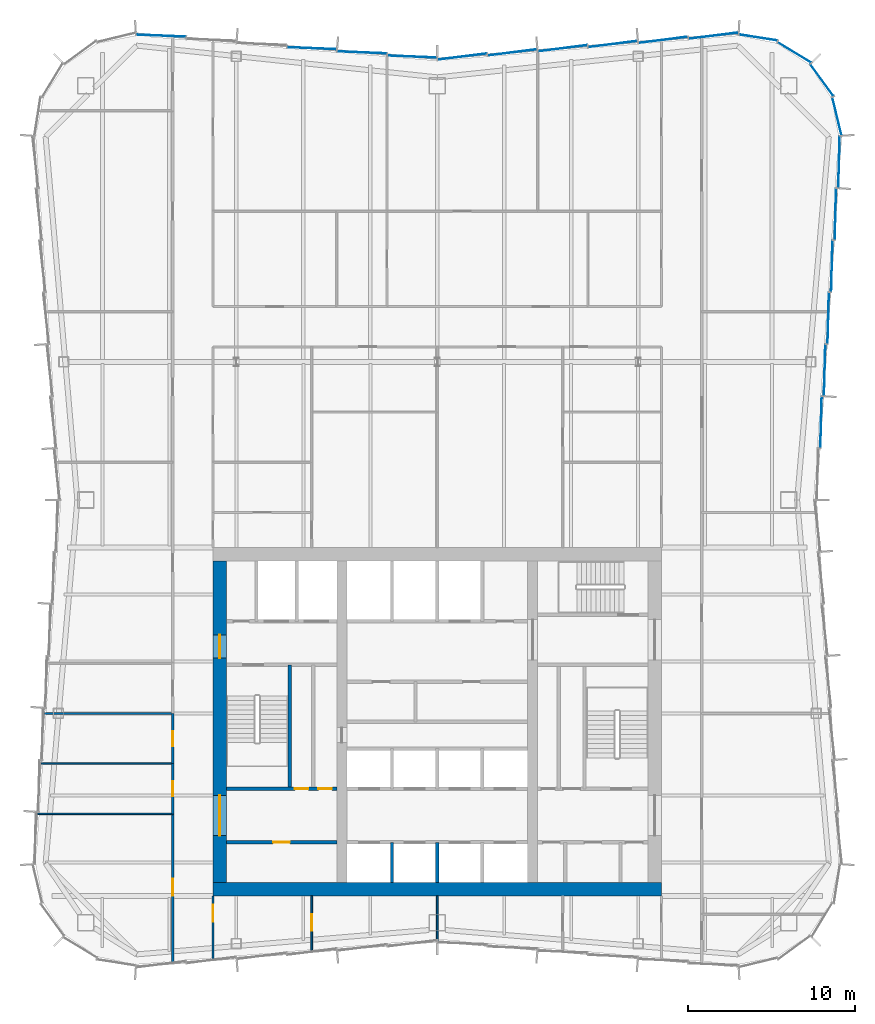
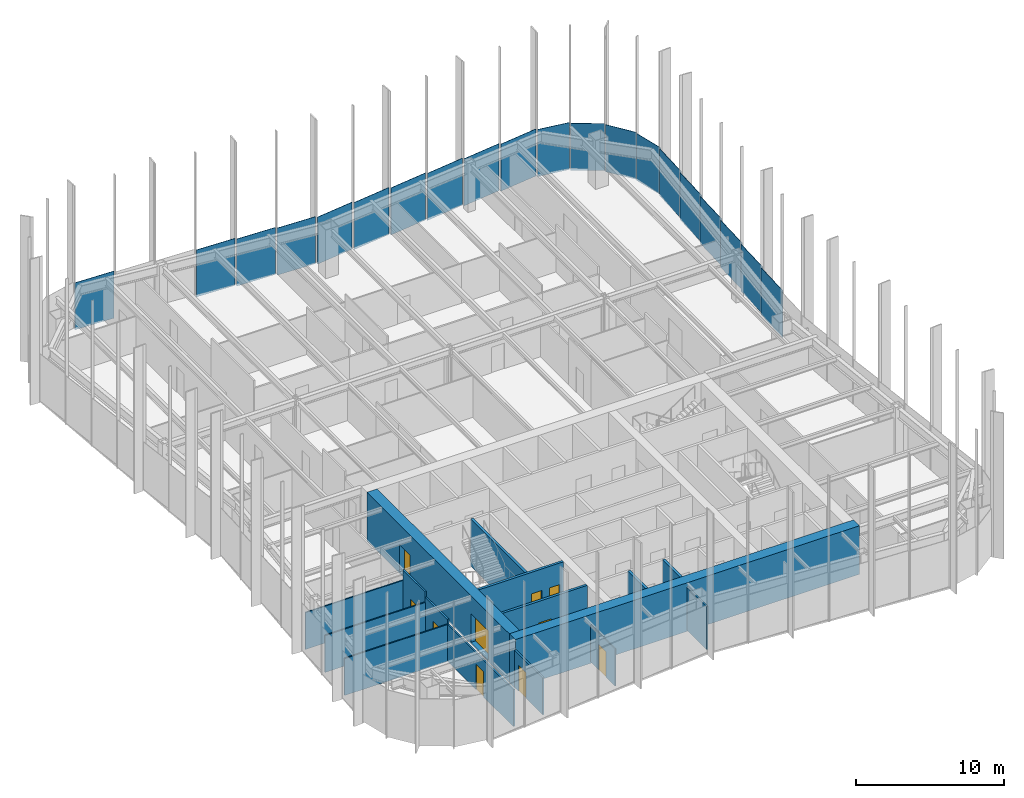
# One storey, part 10 of 15: 20 plates, 16 walls, 10 doors, 10 openings, 3 elements without a shape of their own.
"""IFC4 building model written with IfcOpenShell, lengths in metres."""

from ifc_helpers import new_model, si_unit, direction, frame, frame_2d, origin, origin_2d, place, context, subcontext, project, spatial, rectangle, extrude, material, layer, layer_set, type_object, element, fill, aggregate, save


model = new_model("IFC4")

# Units and contexts
model_context = context("Model", 3, precision=1e-05, world=origin(), true_north=direction((0.0, 1.0)))
body_context = subcontext(model_context, "Body", "Model", "MODEL_VIEW")
ifc_project = project(units=[si_unit("LENGTHUNIT", "METRE"), si_unit("AREAUNIT", "SQUARE_METRE"), si_unit("VOLUMEUNIT", "CUBIC_METRE"), si_unit("PLANEANGLEUNIT", "RADIAN"), si_unit("MASSUNIT", "GRAM", prefix="KILO")], contexts=[model_context])

# Site, building, storey
site_placement = place(None, origin())
site = spatial("IfcSite", under=ifc_project, at=site_placement, CompositionType="ELEMENT")
building_placement = place(site_placement, origin())
building = spatial("IfcBuilding", under=site, at=building_placement, Name="Verdant Reach Tower", CompositionType="ELEMENT")
storey_placement = place(building_placement, frame((0.0, 0.0, 250.0)))
storey = spatial("IfcBuildingStorey", under=building, at=storey_placement, Name="L57", CompositionType="ELEMENT", Elevation=250.0)

# Curtain wall, plates
ifc_material_1 = material(Name="Anodised aluminium", Category="aluminium")
curtain_wall_type = type_object("IfcCurtainWallType", Name="EN-CW SYSTEM Z4", PredefinedType="NOTDEFINED", material=ifc_material_1)
curtain_wall_1_placement = place(storey_placement, origin())
curtain_wall_1 = element("IfcCurtainWall", 1, at=curtain_wall_1_placement, inside=storey, type_object=curtain_wall_type, Name="Curtain wall east, L57", PredefinedType="NOTDEFINED")
ifc_material_2 = material(Name="Tinted glass with champagne spandrel", Category="glass")
ifc_layer_1 = layer(ifc_material_2, 0.031982421875)
ifc_layer_set_1 = layer_set([ifc_layer_1], Name="EN-PANEL CHAMPAGNE")
plate_type_1 = type_object("IfcPlateType", Name="EN-PANEL CHAMPAGNE", PredefinedType="CURTAIN_PANEL", material=ifc_layer_set_1)
plate_1_placement = place(storey_placement, frame((23.36181640625, 52.1171875, -0.221923828125), z_axis=(0.0, 0.0, 1.0), x_axis=(0.026965318308, 0.999636369691, 0.0)))
plate_1 = element("IfcPlate", 2, at=plate_1_placement, type_object=plate_type_1, Name="Glass panel east face part 2 4.1, L57", PredefinedType="CURTAIN_PANEL", context=body_context, shape_type="SweptSolid", body=[
    extrude(rectangle(XDim=3.050537109375, YDim=0.031982421875, at=origin_2d()), origin(), (0.0, 0.0, 1.0), 3.8720703125),
])
plate_2_placement = place(storey_placement, frame((23.575927734375, 55.224365234375, -0.221923828125), z_axis=(0.0, 0.0, 1.0), x_axis=(0.026965318308, 0.999636369691, 0.0)))
plate_2 = element("IfcPlate", 3, at=plate_2_placement, type_object=plate_type_1, Name="Glass panel east face part 2 5.1, L57", PredefinedType="CURTAIN_PANEL", context=body_context, shape_type="SweptSolid", body=[
    extrude(rectangle(XDim=3.050537109375, YDim=0.031982421875, at=origin_2d()), origin(), (0.0, 0.0, 1.0), 3.8720703125),
])
plate_3_placement = place(storey_placement, frame((23.790283203125, 58.33154296875, -0.221923828125), z_axis=(0.0, 0.0, 1.0), x_axis=(0.026965318308, 0.999636369691, 0.0)))
plate_3 = element("IfcPlate", 4, at=plate_3_placement, type_object=plate_type_1, Name="Glass panel east face part 2 6.1, L57", PredefinedType="CURTAIN_PANEL", context=body_context, shape_type="SweptSolid", body=[
    extrude(rectangle(XDim=3.050537109375, YDim=0.031982421875, at=origin_2d()), origin(), (0.0, 0.0, 1.0), 3.8720703125),
])

curtain_wall_2_placement = place(storey_placement, origin())
curtain_wall_2 = element("IfcCurtainWall", 5, at=curtain_wall_2_placement, inside=storey, type_object=curtain_wall_type, Name="Curtain wall north-east corner, L57", PredefinedType="NOTDEFINED")
plate_4_placement = place(storey_placement, frame((21.330322265625, 67.984375, -0.221923828125), z_axis=(0.0, 0.0, 1.0), x_axis=(-0.853988708265, 0.520291539577, 0.0)))
plate_4 = element("IfcPlate", 6, at=plate_4_placement, type_object=plate_type_1, Name="Glass panel north-east corner 3.1, L57", PredefinedType="CURTAIN_PANEL", context=body_context, shape_type="SweptSolid", body=[
    extrude(rectangle(XDim=2.32080078125, YDim=0.031982421875, at=origin_2d()), origin(), (0.0, 0.0, 1.0), 3.8720703125),
])
plate_5_placement = place(storey_placement, frame((19.172607421875, 68.87939453125, -0.221923828125), z_axis=(0.0, 0.0, 1.0), x_axis=(-0.98802725693, 0.154279420415, 0.0)))
plate_5 = element("IfcPlate", 7, at=plate_5_placement, type_object=plate_type_1, Name="Glass panel north-east corner 4.1, L57", PredefinedType="CURTAIN_PANEL", context=body_context, shape_type="SweptSolid", body=[
    extrude(rectangle(XDim=2.314453125, YDim=0.031982421875, at=origin_2d()), origin(), (0.0, 0.0, 1.0), 3.8720703125),
])

curtain_wall_3_placement = place(storey_placement, origin())
curtain_wall_3 = element("IfcCurtainWall", 8, at=curtain_wall_3_placement, inside=storey, type_object=curtain_wall_type, Name="Curtain wall north, L57", PredefinedType="NOTDEFINED")
plate_6_placement = place(storey_placement, frame((16.49853515625, 68.98681640625, -0.221923828125), z_axis=(0.0, 0.0, 1.0), x_axis=(-0.992238962139, -0.124345655383, 0.0)))
plate_6 = element("IfcPlate", 9, at=plate_6_placement, type_object=plate_type_1, Name="Glass panel north face part 1 1.1, L57", PredefinedType="CURTAIN_PANEL", context=body_context, shape_type="SweptSolid", body=[
    extrude(rectangle(XDim=2.9619140625, YDim=0.031982421875, at=origin_2d()), origin(), (0.0, 0.0, 1.0), 3.8720703125),
])
plate_7_placement = place(storey_placement, frame((13.49072265625, 68.736572265625, -0.221923828125), z_axis=(0.0, 0.0, 1.0), x_axis=(-0.992194034542, -0.124703639961, 0.0)))
plate_7 = element("IfcPlate", 10, at=plate_7_placement, type_object=plate_type_1, Name="Glass panel north face part 1 2.1, L57", PredefinedType="CURTAIN_PANEL", context=body_context, shape_type="SweptSolid", body=[
    extrude(rectangle(XDim=2.9462890625, YDim=0.031982421875, at=origin_2d()), origin(), (0.0, 0.0, 1.0), 3.8720703125),
])
plate_8_placement = place(storey_placement, frame((10.49072265625, 68.486572265625, -0.221923828125), z_axis=(0.0, 0.0, 1.0), x_axis=(-0.992194034542, -0.124703639961, 0.0)))
plate_8 = element("IfcPlate", 11, at=plate_8_placement, type_object=plate_type_1, Name="Glass panel north face part 1 3.1, L57", PredefinedType="CURTAIN_PANEL", context=body_context, shape_type="SweptSolid", body=[
    extrude(rectangle(XDim=2.9462890625, YDim=0.031982421875, at=origin_2d()), origin(), (0.0, 0.0, 1.0), 3.8720703125),
])
plate_9_placement = place(storey_placement, frame((-7.49072265625, 68.236572265625, -0.221923828125), z_axis=(0.0, 0.0, 1.0), x_axis=(-0.999149202059, 0.041241629766, 0.0)))
plate_9 = element("IfcPlate", 12, at=plate_9_placement, type_object=plate_type_1, Name="Glass panel north face part 2 3.1, L57", PredefinedType="CURTAIN_PANEL", context=body_context, shape_type="SweptSolid", body=[
    extrude(rectangle(XDim=2.9462890625, YDim=0.031982421875, at=origin_2d()), origin(), (0.0, 0.0, 1.0), 3.8720703125),
])

# Plate
ifc_material_3 = material(Name="Tinted glass with copper spandrel", Category="glass")
ifc_layer_2 = layer(ifc_material_3, 0.031982421875)
ifc_layer_set_2 = layer_set([ifc_layer_2], Name="EN-PANEL COPPER")
plate_type_2 = type_object("IfcPlateType", Name="EN-PANEL COPPER", PredefinedType="CURTAIN_PANEL", material=ifc_layer_set_2)
plate_10_placement = place(storey_placement, frame((24.004638671875, 61.446044921875, -0.221923828125), z_axis=(0.0, 0.0, 1.0), x_axis=(0.026651253217, 0.999644792265, 0.0)))
plate_10 = element("IfcPlate", 13, at=plate_10_placement, type_object=plate_type_2, Name="Glass panel east face part 2 7.1, L57", PredefinedType="CURTAIN_PANEL", context=body_context, shape_type="SweptSolid", body=[
    extrude(rectangle(XDim=3.0654296875, YDim=0.031982421875, at=origin_2d()), origin(), (0.0, 0.0, 1.0), 3.8720703125),
])

plate_11_placement = place(storey_placement, frame((7.49072265625, 68.236572265625, -0.221923828125), z_axis=(0.0, 0.0, 1.0), x_axis=(-0.992194034542, -0.124703639961, 0.0)))
plate_11 = element("IfcPlate", 14, at=plate_11_placement, type_object=plate_type_2, Name="Glass panel north face part 1 4.1, L57", PredefinedType="CURTAIN_PANEL", context=body_context, shape_type="SweptSolid", body=[
    extrude(rectangle(XDim=2.9462890625, YDim=0.031982421875, at=origin_2d()), origin(), (0.0, 0.0, 1.0), 3.8720703125),
])

plate_12_placement = place(storey_placement, frame((4.49072265625, 67.986572265625, -0.221923828125), z_axis=(0.0, 0.0, 1.0), x_axis=(-0.992194034542, -0.124703639961, 0.0)))
plate_12 = element("IfcPlate", 15, at=plate_12_placement, type_object=plate_type_2, Name="Glass panel north face part 1 5.1, L57", PredefinedType="CURTAIN_PANEL", context=body_context, shape_type="SweptSolid", body=[
    extrude(rectangle(XDim=2.9462890625, YDim=0.031982421875, at=origin_2d()), origin(), (0.0, 0.0, 1.0), 3.8720703125),
])

plate_13_placement = place(storey_placement, frame((-16.49853515625, 68.98681640625, -0.221923828125), z_axis=(0.0, 0.0, 1.0), x_axis=(-0.999164016711, 0.040881141246, 0.0)))
plate_13 = element("IfcPlate", 16, at=plate_13_placement, type_object=plate_type_2, Name="Glass panel north face part 2 6.1, L57", PredefinedType="CURTAIN_PANEL", context=body_context, shape_type="SweptSolid", body=[
    extrude(rectangle(XDim=2.9619140625, YDim=0.031982421875, at=origin_2d()), origin(), (0.0, 0.0, 1.0), 3.8720703125),
])

ifc_material_4 = material(Name="Tinted glass with dark bronze spandrel", Category="glass")
ifc_layer_3 = layer(ifc_material_4, 0.031982421875)
ifc_layer_set_3 = layer_set([ifc_layer_3], Name="EN-PANEL DARK")
plate_type_3 = type_object("IfcPlateType", Name="EN-PANEL DARK", PredefinedType="CURTAIN_PANEL", material=ifc_layer_set_3)
plate_14_placement = place(storey_placement, frame((22.93310546875, 45.903076171875, -0.221923828125), z_axis=(0.0, 0.0, 1.0), x_axis=(0.026965318308, 0.999636369691, 0.0)))
plate_14 = element("IfcPlate", 17, at=plate_14_placement, type_object=plate_type_3, Name="Glass panel east face part 2 2.1, L57", PredefinedType="CURTAIN_PANEL", context=body_context, shape_type="SweptSolid", body=[
    extrude(rectangle(XDim=3.050537109375, YDim=0.031982421875, at=origin_2d()), origin(), (0.0, 0.0, 1.0), 3.8720703125),
])

plate_15_placement = place(storey_placement, frame((23.1474609375, 49.01025390625, -0.221923828125), z_axis=(0.0, 0.0, 1.0), x_axis=(0.026965318308, 0.999636369691, 0.0)))
plate_15 = element("IfcPlate", 18, at=plate_15_placement, type_object=plate_type_3, Name="Glass panel east face part 2 3.1, L57", PredefinedType="CURTAIN_PANEL", context=body_context, shape_type="SweptSolid", body=[
    extrude(rectangle(XDim=3.050537109375, YDim=0.031982421875, at=origin_2d()), origin(), (0.0, 0.0, 1.0), 3.8720703125),
])

aggregate(curtain_wall_1, [plate_14, plate_15, plate_1, plate_2, plate_3, plate_10])

plate_16_placement = place(storey_placement, frame((23.87939453125, 64.173095703125, -0.221923828125), z_axis=(0.0, 0.0, 1.0), x_axis=(-0.236458850433, 0.971641503875, 0.0)))
plate_16 = element("IfcPlate", 19, at=plate_16_placement, type_object=plate_type_3, Name="Glass panel north-east corner 1.1, L57", PredefinedType="CURTAIN_PANEL", context=body_context, shape_type="SweptSolid", body=[
    extrude(rectangle(XDim=2.313720703125, YDim=0.031982421875, at=origin_2d()), origin(), (0.0, 0.0, 1.0), 3.8720703125),
])

plate_17_placement = place(storey_placement, frame((22.984375, 66.330322265625, -0.221923828125), z_axis=(0.0, 0.0, 1.0), x_axis=(-0.589926737254, 0.80745677573, 0.0)))
plate_17 = element("IfcPlate", 20, at=plate_17_placement, type_object=plate_type_3, Name="Glass panel north-east corner 2.1, L57", PredefinedType="CURTAIN_PANEL", context=body_context, shape_type="SweptSolid", body=[
    extrude(rectangle(XDim=2.32080078125, YDim=0.031982421875, at=origin_2d()), origin(), (0.0, 0.0, 1.0), 3.8720703125),
])

aggregate(curtain_wall_2, [plate_16, plate_17, plate_4, plate_5])

plate_18_placement = place(storey_placement, frame((1.495361328125, 67.73681640625, -0.221923828125), z_axis=(0.0, 0.0, 1.0), x_axis=(-0.992177950603, -0.124831543836, 0.0)))
plate_18 = element("IfcPlate", 21, at=plate_18_placement, type_object=plate_type_3, Name="Glass panel north face part 1 6.1, L57", PredefinedType="CURTAIN_PANEL", context=body_context, shape_type="SweptSolid", body=[
    extrude(rectangle(XDim=2.93701171875, YDim=0.031982421875, at=origin_2d()), origin(), (0.0, 0.0, 1.0), 3.8720703125),
])

plate_19_placement = place(storey_placement, frame((-1.495361328125, 67.73681640625, -0.221923828125), z_axis=(0.0, 0.0, 1.0), x_axis=(-0.999143877249, 0.041370430933, 0.0)))
plate_19 = element("IfcPlate", 22, at=plate_19_placement, type_object=plate_type_3, Name="Glass panel north face part 2 1.1, L57", PredefinedType="CURTAIN_PANEL", context=body_context, shape_type="SweptSolid", body=[
    extrude(rectangle(XDim=2.93701171875, YDim=0.031982421875, at=origin_2d()), origin(), (0.0, 0.0, 1.0), 3.8720703125),
])

plate_20_placement = place(storey_placement, frame((-4.49072265625, 67.986572265625, -0.221923828125), z_axis=(0.0, 0.0, 1.0), x_axis=(-0.999149202059, 0.041241629766, 0.0)))
plate_20 = element("IfcPlate", 23, at=plate_20_placement, type_object=plate_type_3, Name="Glass panel north face part 2 2.1, L57", PredefinedType="CURTAIN_PANEL", context=body_context, shape_type="SweptSolid", body=[
    extrude(rectangle(XDim=2.9462890625, YDim=0.031982421875, at=origin_2d()), origin(), (0.0, 0.0, 1.0), 3.8720703125),
])

aggregate(curtain_wall_3, [plate_6, plate_7, plate_8, plate_11, plate_12, plate_18, plate_19, plate_20, plate_9, plate_13])

# Wall, opening, door
ifc_material_5 = material(Name="Gypsum board on steel studs", Category="steel")
ifc_layer_4 = layer(ifc_material_5, 0.199951171875)
ifc_layer_set_4 = layer_set([ifc_layer_4], Name="CO-WALL-ROOM")
wall_type_1 = type_object("IfcWallType", Name="CO-WALL-ROOM", PredefinedType="PARTITIONING", material=ifc_layer_set_4)
wall_1_placement = place(storey_placement, frame((-12.60009765625, 20.800048828125, 0.0), z_axis=(0.0, 0.0, 1.0), x_axis=(1.0, 0.0, 0.0)))
wall_1 = element("IfcWall", 24, at=wall_1_placement, inside=storey, type_object=wall_type_1, Name="Core partition, L57", PredefinedType="PARTITIONING", context=body_context, shape_type="SweptSolid", body=[
    extrude(rectangle(XDim=6.60009765625, YDim=0.199951171875, at=frame_2d((3.300048828125, 0.0))), origin(), (0.0, 0.0, 1.0), 3.8701171875),
])
opening_1_placement = place(wall_1_placement, frame((2.800048828125, 0.0, 0.0)))
opening_1 = element("IfcOpeningElement", 25, at=opening_1_placement, cuts=wall_1, Name="Opening CD", PredefinedType="OPENING", context=body_context, shape_type="SweptSolid", body=[
    extrude(rectangle(XDim=1.0, YDim=2.10009765625, at=frame_2d((0.5, 1.050048828125))), frame((0.0, 0.10986328125, 0.0), z_axis=(0.0, -1.0, 0.0), x_axis=(1.0, 0.0, 0.0)), (0.0, 0.0, 1.0), 0.219970703125),
])
ifc_material_6 = material(Name="Timber", Category="wood")
door_type_1 = type_object("IfcDoorType", Name="CO-DOOR-ROOM", OperationType="NOTDEFINED", PredefinedType="DOOR", material=ifc_material_6)
door_1_placement = place(opening_1_placement, origin())
door_1 = element("IfcDoor", 26, at=door_1_placement, inside=storey, type_object=door_type_1, Name="Core room door, L57", OperationType="SINGLE_SWING_LEFT", OverallHeight=2.10009765625, OverallWidth=1.0, PredefinedType="DOOR", context=body_context, shape_type="SweptSolid", body=[
    extrude(rectangle(XDim=1.0, YDim=2.10009765625, at=frame_2d((0.5, 1.050048828125))), frame((0.0, 0.02490234375, 0.0), z_axis=(0.0, -1.0, 0.0), x_axis=(1.0, 0.0, 0.0)), (0.0, 0.0, 1.0), 0.050048828125),
])
fill(opening_1, door_1)

# Walls
ifc_material_7 = material(Name="Concrete C40/50", Category="concrete")
ifc_layer_5 = layer(ifc_material_7, 0.199951171875)
ifc_layer_set_5 = layer_set([ifc_layer_5], Name="CO-WALL-SHAFT")
wall_type_2 = type_object("IfcWallType", Name="CO-WALL-SHAFT", PredefinedType="PARTITIONING", material=ifc_layer_set_5)
for number, where, z_axis, x_axis, name in (
    (27, (-2.699951171875, 18.39990234375, 0.0), (0.0, 0.0, 1.0), (0.0, 1.0, 0.0), "Lift shaft wall, L57"),
    (28, (0.0, 18.39990234375, 0.0), (0.0, 0.0, 1.0), (0.0, 1.0, 0.0), "Lift shaft wall, L57"),
):
    element("IfcWall", number, at=place(storey_placement, frame(where, z_axis=z_axis, x_axis=x_axis)), inside=storey, type_object=wall_type_2, Name=name, PredefinedType="PARTITIONING", context=body_context, shape_type="SweptSolid", body=[
        extrude(rectangle(XDim=2.400146484375, YDim=0.199951171875, at=frame_2d((1.2001953125, 0.0))), origin(), (0.0, 0.0, 1.0), 3.8701171875),
    ])

# Wall, openings, doors
ifc_layer_6 = layer(ifc_material_7, 0.199951171875)
ifc_layer_set_6 = layer_set([ifc_layer_6], Name="CO-WALL-STAIR")
wall_type_3 = type_object("IfcWallType", Name="CO-WALL-STAIR", PredefinedType="PARTITIONING", material=ifc_layer_set_6)
wall_2_placement = place(storey_placement, frame((-12.60009765625, 24.0, 0.0), z_axis=(0.0, 0.0, 1.0), x_axis=(1.0, 0.0, 0.0)))
wall_2 = element("IfcWall", 29, at=wall_2_placement, inside=storey, type_object=wall_type_3, Name="Stair enclosure wall, L57", PredefinedType="PARTITIONING", context=body_context, shape_type="SweptSolid", body=[
    extrude(rectangle(XDim=6.60009765625, YDim=0.199951171875, at=frame_2d((3.300048828125, 0.0))), origin(), (0.0, 0.0, 1.0), 3.8701171875),
])
opening_2_placement = place(wall_2_placement, frame((4.10009765625, 0.0, 0.0)))
opening_2 = element("IfcOpeningElement", 30, at=opening_2_placement, cuts=wall_2, Name="Opening CDN", PredefinedType="OPENING", context=body_context, shape_type="SweptSolid", body=[
    extrude(rectangle(XDim=0.800048828125, YDim=2.10009765625, at=frame_2d((0.39990234375, 1.050048828125))), frame((0.0, 0.10986328125, 0.0), z_axis=(0.0, -1.0, 0.0), x_axis=(1.0, 0.0, 0.0)), (0.0, 0.0, 1.0), 0.219970703125),
])
opening_3_placement = place(wall_2_placement, frame((5.5, 0.0, 0.0)))
opening_3 = element("IfcOpeningElement", 31, at=opening_3_placement, cuts=wall_2, Name="Opening CDN", PredefinedType="OPENING", context=body_context, shape_type="SweptSolid", body=[
    extrude(rectangle(XDim=0.800048828125, YDim=2.10009765625, at=frame_2d((0.39990234375, 1.050048828125))), frame((0.0, 0.10986328125, 0.0), z_axis=(0.0, -1.0, 0.0), x_axis=(1.0, 0.0, 0.0)), (0.0, 0.0, 1.0), 0.219970703125),
])
door_type_2 = type_object("IfcDoorType", Name="CO-DOOR-ROOM-NARROW", OperationType="NOTDEFINED", PredefinedType="DOOR", material=ifc_material_6)
door_2_placement = place(opening_2_placement, origin())
door_2 = element("IfcDoor", 32, at=door_2_placement, inside=storey, type_object=door_type_2, Name="Core room door, L57", OperationType="SINGLE_SWING_LEFT", OverallHeight=2.10009765625, OverallWidth=0.800048828125, PredefinedType="DOOR", context=body_context, shape_type="SweptSolid", body=[
    extrude(rectangle(XDim=0.800048828125, YDim=2.10009765625, at=frame_2d((0.39990234375, 1.050048828125))), frame((0.0, 0.02490234375, 0.0), z_axis=(0.0, -1.0, 0.0), x_axis=(1.0, 0.0, 0.0)), (0.0, 0.0, 1.0), 0.050048828125),
])
fill(opening_2, door_2)
door_3_placement = place(opening_3_placement, origin())
door_3 = element("IfcDoor", 33, at=door_3_placement, inside=storey, type_object=door_type_2, Name="Core room door, L57", OperationType="SINGLE_SWING_RIGHT", OverallHeight=2.10009765625, OverallWidth=0.800048828125, PredefinedType="DOOR", context=body_context, shape_type="SweptSolid", body=[
    extrude(rectangle(XDim=0.800048828125, YDim=2.10009765625, at=frame_2d((0.39990234375, 1.050048828125))), frame((0.0, 0.02490234375, 0.0), z_axis=(0.0, -1.0, 0.0), x_axis=(1.0, 0.0, 0.0)), (0.0, 0.0, 1.0), 0.050048828125),
])
fill(opening_3, door_3)

# Walls
wall_3_placement = place(storey_placement, frame((-8.800048828125, 24.0, 0.0), z_axis=(0.0, 0.0, 1.0), x_axis=(0.0, 1.0, 0.0)))
element("IfcWall", 34, at=wall_3_placement, inside=storey, type_object=wall_type_3, Name="Stair enclosure wall, L57", PredefinedType="PARTITIONING", context=body_context, shape_type="SweptSolid", body=[
    extrude(rectangle(XDim=7.39990234375, YDim=0.199951171875, at=frame_2d((3.699951171875, 0.0))), origin(), (0.0, 0.0, 1.0), 3.8701171875),
])
ifc_layer_7 = layer(ifc_material_5, 0.10009765625)
ifc_layer_set_7 = layer_set([ifc_layer_7], Name="FL-W1 Partition 100")
wall_type_4 = type_object("IfcWallType", Name="FL-W1 Partition 100", PredefinedType="PARTITIONING", material=ifc_layer_set_7)
wall_4_placement = place(storey_placement, frame((-15.800048828125, 22.5, 0.0), z_axis=(0.0, 0.0, 1.0), x_axis=(-1.0, 0.0, 0.0)))
element("IfcWall", 35, at=wall_4_placement, inside=storey, type_object=wall_type_4, Name="Partition 57.34", PredefinedType="PARTITIONING", context=body_context, shape_type="SweptSolid", body=[
    extrude(rectangle(XDim=8.072998046875, YDim=0.10009765625, at=frame_2d((4.03662109375, 0.0))), origin(), (0.0, 0.0, 1.0), 3.0400390625),
])
wall_5_placement = place(storey_placement, frame((-15.800048828125, 25.5, 0.0), z_axis=(0.0, 0.0, 1.0), x_axis=(-1.0, 0.0, 0.0)))
element("IfcWall", 36, at=wall_5_placement, inside=storey, type_object=wall_type_4, Name="Partition 57.35", PredefinedType="PARTITIONING", context=body_context, shape_type="SweptSolid", body=[
    extrude(rectangle(XDim=7.8662109375, YDim=0.10009765625, at=frame_2d((3.93310546875, 0.0))), origin(), (0.0, 0.0, 1.0), 3.0400390625),
])
wall_6_placement = place(storey_placement, frame((-15.800048828125, 28.5, 0.0), z_axis=(0.0, 0.0, 1.0), x_axis=(-1.0, 0.0, 0.0)))
element("IfcWall", 37, at=wall_6_placement, inside=storey, type_object=wall_type_4, Name="Partition 57.36", PredefinedType="PARTITIONING", context=body_context, shape_type="SweptSolid", body=[
    extrude(rectangle(XDim=7.6591796875, YDim=0.10009765625, at=frame_2d((3.82958984375, 0.0))), origin(), (0.0, 0.0, 1.0), 3.0400390625),
])

# Wall, opening, door
wall_7_placement = place(storey_placement, frame((-7.5, 17.60009765625, 0.0), z_axis=(0.0, 0.0, 1.0), x_axis=(0.0, -1.0, 0.0)))
wall_7 = element("IfcWall", 38, at=wall_7_placement, inside=storey, type_object=wall_type_4, Name="Partition 57.45", PredefinedType="PARTITIONING", context=body_context, shape_type="SweptSolid", body=[
    extrude(rectangle(XDim=3.30517578125, YDim=0.10009765625, at=frame_2d((1.652587890625, 0.0))), origin(), (0.0, 0.0, 1.0), 3.0400390625),
])
opening_4_placement = place(wall_7_placement, frame((1.08740234375, 0.0, 0.0)))
opening_4 = element("IfcOpeningElement", 39, at=opening_4_placement, cuts=wall_7, Name="Opening D3", PredefinedType="OPENING", context=body_context, shape_type="SweptSolid", body=[
    extrude(rectangle(XDim=1.0, YDim=2.10009765625, at=frame_2d((0.5, 1.050048828125))), frame((0.0, 0.06005859375, 0.0), z_axis=(0.0, -1.0, 0.0), x_axis=(1.0, 0.0, 0.0)), (0.0, 0.0, 1.0), 0.1201171875),
])
ifc_material_8 = material(Name="Painted timber door leaf", Category="wood")
door_type_3 = type_object("IfcDoorType", Name="FL-D3 Door 1000x2100", OperationType="NOTDEFINED", PredefinedType="DOOR", material=ifc_material_8)
door_4_placement = place(opening_4_placement, origin())
door_4 = element("IfcDoor", 40, at=door_4_placement, inside=storey, type_object=door_type_3, Name="Door 57-027", OperationType="SINGLE_SWING_LEFT", OverallHeight=2.10009765625, OverallWidth=1.0, PredefinedType="DOOR", context=body_context, shape_type="SweptSolid", body=[
    extrude(rectangle(XDim=1.0, YDim=2.10009765625, at=frame_2d((0.5, 1.050048828125))), frame((0.0, 0.02490234375, 0.0), z_axis=(0.0, -1.0, 0.0), x_axis=(1.0, 0.0, 0.0)), (0.0, 0.0, 1.0), 0.050048828125),
])
fill(opening_4, door_4)

# Wall
wall_8_placement = place(storey_placement, frame((0.0, 14.919921875, 0.0), z_axis=(0.0, 0.0, 1.0), x_axis=(0.0, 1.0, 0.0)))
element("IfcWall", 41, at=wall_8_placement, inside=storey, type_object=wall_type_4, Name="Partition 57.46", PredefinedType="PARTITIONING", context=body_context, shape_type="SweptSolid", body=[
    extrude(rectangle(XDim=2.68017578125, YDim=0.10009765625, at=frame_2d((1.340087890625, 0.0))), origin(), (0.0, 0.0, 1.0), 3.5400390625),
])

# Wall, opening, door
ifc_material_9 = material(Name="Gypsum board on steel studs, fire rated", Category="steel")
ifc_layer_8 = layer(ifc_material_9, 0.125)
ifc_layer_set_8 = layer_set([ifc_layer_8], Name="FL-W2 Corridor wall 125")
wall_type_5 = type_object("IfcWallType", Name="FL-W2 Corridor wall 125", PredefinedType="PARTITIONING", material=ifc_layer_set_8)
wall_9_placement = place(storey_placement, frame((-15.800048828125, 13.603271484375, 0.0), z_axis=(0.0, 0.0, 1.0), x_axis=(0.0, 1.0, 0.0)))
wall_9 = element("IfcWall", 42, at=wall_9_placement, inside=storey, type_object=wall_type_5, Name="Partition 57.01", PredefinedType="PARTITIONING", context=body_context, shape_type="SweptSolid", body=[
    extrude(rectangle(XDim=8.896728515625, YDim=0.125, at=frame_2d((4.4482421875, 0.0))), origin(), (0.0, 0.0, 1.0), 3.0400390625),
])
opening_5_placement = place(wall_9_placement, frame((4.013427734375, 0.0, 0.0)))
opening_5 = element("IfcOpeningElement", 43, at=opening_5_placement, cuts=wall_9, Name="Opening D2", PredefinedType="OPENING", context=body_context, shape_type="SweptSolid", body=[
    extrude(rectangle(XDim=1.0, YDim=2.10009765625, at=frame_2d((0.5, 1.050048828125))), frame((0.0, 0.072509765625, 0.0), z_axis=(0.0, -1.0, 0.0), x_axis=(1.0, 0.0, 0.0)), (0.0, 0.0, 1.0), 0.14501953125),
])
ifc_material_10 = material(Name="Timber door leaf, fire rated", Category="wood")
door_type_4 = type_object("IfcDoorType", Name="FL-D2 Entrance door 1000x2100 FD30", OperationType="NOTDEFINED", PredefinedType="DOOR", material=ifc_material_10)
door_5_placement = place(opening_5_placement, origin())
door_5 = element("IfcDoor", 44, at=door_5_placement, inside=storey, type_object=door_type_4, Name="Door 57-001", OperationType="SINGLE_SWING_RIGHT", OverallHeight=2.10009765625, OverallWidth=1.0, PredefinedType="DOOR", context=body_context, shape_type="SweptSolid", body=[
    extrude(rectangle(XDim=1.0, YDim=2.10009765625, at=frame_2d((0.5, 1.050048828125))), frame((0.0, 0.02490234375, 0.0), z_axis=(0.0, -1.0, 0.0), x_axis=(1.0, 0.0, 0.0)), (0.0, 0.0, 1.0), 0.050048828125),
])
fill(opening_5, door_5)

wall_10_placement = place(storey_placement, frame((-15.800048828125, 22.5, 0.0), z_axis=(0.0, 0.0, 1.0), x_axis=(0.0, 1.0, 0.0)))
wall_10 = element("IfcWall", 45, at=wall_10_placement, inside=storey, type_object=wall_type_5, Name="Partition 57.02", PredefinedType="PARTITIONING", context=body_context, shape_type="SweptSolid", body=[
    extrude(rectangle(XDim=3.0, YDim=0.125, at=frame_2d((1.5, 0.0))), origin(), (0.0, 0.0, 1.0), 3.43994140625),
])
opening_6_placement = place(wall_10_placement, frame((1.050048828125, 0.0, 0.0)))
opening_6 = element("IfcOpeningElement", 46, at=opening_6_placement, cuts=wall_10, Name="Opening D1", PredefinedType="OPENING", context=body_context, shape_type="SweptSolid", body=[
    extrude(rectangle(XDim=0.89990234375, YDim=2.10009765625, at=frame_2d((0.449951171875, 1.050048828125))), frame((0.0, 0.072509765625, 0.0), z_axis=(0.0, -1.0, 0.0), x_axis=(1.0, 0.0, 0.0)), (0.0, 0.0, 1.0), 0.14501953125),
])
door_type_5 = type_object("IfcDoorType", Name="FL-D1 Door 900x2100", OperationType="NOTDEFINED", PredefinedType="DOOR", material=ifc_material_8)
door_6_placement = place(opening_6_placement, origin())
door_6 = element("IfcDoor", 47, at=door_6_placement, inside=storey, type_object=door_type_5, Name="Door 57-002", OperationType="SINGLE_SWING_RIGHT", OverallHeight=2.10009765625, OverallWidth=0.89990234375, PredefinedType="DOOR", context=body_context, shape_type="SweptSolid", body=[
    extrude(rectangle(XDim=0.89990234375, YDim=2.10009765625, at=frame_2d((0.449951171875, 1.050048828125))), frame((0.0, 0.02490234375, 0.0), z_axis=(0.0, -1.0, 0.0), x_axis=(1.0, 0.0, 0.0)), (0.0, 0.0, 1.0), 0.050048828125),
])
fill(opening_6, door_6)

wall_11_placement = place(storey_placement, frame((-15.800048828125, 25.5, 0.0), z_axis=(0.0, 0.0, 1.0), x_axis=(0.0, 1.0, 0.0)))
wall_11 = element("IfcWall", 48, at=wall_11_placement, inside=storey, type_object=wall_type_5, Name="Partition 57.03", PredefinedType="PARTITIONING", context=body_context, shape_type="SweptSolid", body=[
    extrude(rectangle(XDim=3.0, YDim=0.125, at=frame_2d((1.5, 0.0))), origin(), (0.0, 0.0, 1.0), 3.8701171875),
])
opening_7_placement = place(wall_11_placement, frame((1.050048828125, 0.0, 0.0)))
opening_7 = element("IfcOpeningElement", 49, at=opening_7_placement, cuts=wall_11, Name="Opening D1", PredefinedType="OPENING", context=body_context, shape_type="SweptSolid", body=[
    extrude(rectangle(XDim=0.89990234375, YDim=2.10009765625, at=frame_2d((0.449951171875, 1.050048828125))), frame((0.0, 0.072509765625, 0.0), z_axis=(0.0, -1.0, 0.0), x_axis=(1.0, 0.0, 0.0)), (0.0, 0.0, 1.0), 0.14501953125),
])
door_7_placement = place(opening_7_placement, origin())
door_7 = element("IfcDoor", 50, at=door_7_placement, inside=storey, type_object=door_type_5, Name="Door 57-003", OperationType="SINGLE_SWING_LEFT", OverallHeight=2.10009765625, OverallWidth=0.89990234375, PredefinedType="DOOR", context=body_context, shape_type="SweptSolid", body=[
    extrude(rectangle(XDim=0.89990234375, YDim=2.10009765625, at=frame_2d((0.449951171875, 1.050048828125))), frame((0.0, 0.02490234375, 0.0), z_axis=(0.0, -1.0, 0.0), x_axis=(1.0, 0.0, 0.0)), (0.0, 0.0, 1.0), 0.050048828125),
])
fill(opening_7, door_7)

wall_12_placement = place(storey_placement, frame((-13.39990234375, 17.60009765625, 0.0), z_axis=(0.0, 0.0, 1.0), x_axis=(0.0, -1.0, 0.0)))
wall_12 = element("IfcWall", 51, at=wall_12_placement, inside=storey, type_object=wall_type_5, Name="Partition 57.14", PredefinedType="PARTITIONING", context=body_context, shape_type="SweptSolid", body=[
    extrude(rectangle(XDim=3.796875, YDim=0.125, at=frame_2d((1.8984375, 0.0))), origin(), (0.0, 0.0, 1.0), 3.0400390625),
])
opening_8_placement = place(wall_12_placement, frame((0.533203125, 0.0, 0.0)))
opening_8 = element("IfcOpeningElement", 52, at=opening_8_placement, cuts=wall_12, Name="Opening D2", PredefinedType="OPENING", context=body_context, shape_type="SweptSolid", body=[
    extrude(rectangle(XDim=1.0, YDim=2.10009765625, at=frame_2d((0.5, 1.050048828125))), frame((0.0, 0.072509765625, 0.0), z_axis=(0.0, -1.0, 0.0), x_axis=(1.0, 0.0, 0.0)), (0.0, 0.0, 1.0), 0.14501953125),
])
door_8_placement = place(opening_8_placement, origin())
door_8 = element("IfcDoor", 53, at=door_8_placement, inside=storey, type_object=door_type_4, Name="Door 57-014", OperationType="SINGLE_SWING_LEFT", OverallHeight=2.10009765625, OverallWidth=1.0, PredefinedType="DOOR", context=body_context, shape_type="SweptSolid", body=[
    extrude(rectangle(XDim=1.0, YDim=2.10009765625, at=frame_2d((0.5, 1.050048828125))), frame((0.0, 0.02490234375, 0.0), z_axis=(0.0, -1.0, 0.0), x_axis=(1.0, 0.0, 0.0)), (0.0, 0.0, 1.0), 0.050048828125),
])
fill(opening_8, door_8)

# Wall
ifc_material_11 = material(Name="Concrete C70/85", Category="concrete")
ifc_layer_9 = layer(ifc_material_11, 0.800048828125)
ifc_layer_set_9 = layer_set([ifc_layer_9], Name="ST-CORE-WALL-800")
wall_type_6 = type_object("IfcWallType", Name="ST-CORE-WALL-800", PredefinedType="SHEAR", material=ifc_layer_set_9)
wall_13_placement = place(storey_placement, frame((-13.39990234375, 18.0, -0.1298828125), z_axis=(0.0, 0.0, 1.0), x_axis=(1.0, 0.0, 0.0)))
element("IfcWall", 54, at=wall_13_placement, inside=storey, type_object=wall_type_6, Name="Core wall S, L57", PredefinedType="SHEAR", context=body_context, shape_type="SweptSolid", body=[
    extrude(rectangle(XDim=26.7998046875, YDim=0.800048828125, at=frame_2d((13.39990234375, 0.0))), origin(), (0.0, 0.0, 1.0), 4.0),
])

# Wall, openings, doors
wall_14_placement = place(storey_placement, frame((-13.0, 18.39990234375, -0.1298828125), z_axis=(0.0, 0.0, 1.0), x_axis=(0.0, 1.0, 0.0)))
wall_14 = element("IfcWall", 55, at=wall_14_placement, inside=storey, type_object=wall_type_6, Name="Core wall W, L57", PredefinedType="SHEAR", context=body_context, shape_type="SweptSolid", body=[
    extrude(rectangle(XDim=19.2001953125, YDim=0.800048828125, at=frame_2d((9.60009765625, 0.0))), origin(), (0.0, 0.0, 1.0), 4.0),
])
opening_9_placement = place(wall_14_placement, frame((2.800048828125, 0.0, 0.1298828125)))
opening_9 = element("IfcOpeningElement", 56, at=opening_9_placement, cuts=wall_14, Name="Opening LB", PredefinedType="OPENING", context=body_context, shape_type="SweptSolid", body=[
    extrude(rectangle(XDim=2.39990234375, YDim=2.39990234375, at=frame_2d((1.199951171875, 1.199951171875))), frame((0.0, 0.409912109375, 0.0), z_axis=(0.0, -1.0, 0.0), x_axis=(1.0, 0.0, 0.0)), (0.0, 0.0, 1.0), 0.820068359375),
])
opening_10_placement = place(wall_14_placement, frame((13.39990234375, 0.0, 0.1298828125)))
opening_10 = element("IfcOpeningElement", 57, at=opening_10_placement, cuts=wall_14, Name="Opening FL", PredefinedType="OPENING", context=body_context, shape_type="SweptSolid", body=[
    extrude(rectangle(XDim=1.39990234375, YDim=2.199951171875, at=frame_2d((0.699951171875, 1.10009765625))), frame((0.0, 0.409912109375, 0.0), z_axis=(0.0, -1.0, 0.0), x_axis=(1.0, 0.0, 0.0)), (0.0, 0.0, 1.0), 0.820068359375),
])
ifc_material_12 = material(Name="Steel", Category="steel")
door_type_6 = type_object("IfcDoorType", Name="CO-DOOR-FFL", OperationType="NOTDEFINED", PredefinedType="DOOR", material=ifc_material_12)
door_9_placement = place(opening_10_placement, origin())
door_9 = element("IfcDoor", 58, at=door_9_placement, inside=storey, type_object=door_type_6, Name="Core entrance door, L57", OperationType="SINGLE_SWING_RIGHT", OverallHeight=2.199951171875, OverallWidth=1.39990234375, PredefinedType="DOOR", context=body_context, shape_type="SweptSolid", body=[
    extrude(rectangle(XDim=1.39990234375, YDim=2.199951171875, at=frame_2d((0.699951171875, 1.10009765625))), frame((0.0, 0.02490234375, 0.0), z_axis=(0.0, -1.0, 0.0), x_axis=(1.0, 0.0, 0.0)), (0.0, 0.0, 1.0), 0.050048828125),
])
fill(opening_10, door_9)
ifc_material_13 = material(Name="Glass and steel", Category="steel")
door_type_7 = type_object("IfcDoorType", Name="CO-DOOR-LOBBY", OperationType="DOUBLE_DOOR_SINGLE_SWING", PredefinedType="DOOR", material=ifc_material_13)
door_10_placement = place(opening_9_placement, origin())
door_10 = element("IfcDoor", 59, at=door_10_placement, inside=storey, type_object=door_type_7, Name="Core entrance door, L57", OperationType="DOUBLE_DOOR_SINGLE_SWING", OverallHeight=2.39990234375, OverallWidth=2.39990234375, PredefinedType="DOOR", context=body_context, shape_type="SweptSolid", body=[
    extrude(rectangle(XDim=2.39990234375, YDim=2.39990234375, at=frame_2d((1.199951171875, 1.199951171875))), frame((0.0, 0.02490234375, 0.0), z_axis=(0.0, -1.0, 0.0), x_axis=(1.0, 0.0, 0.0)), (0.0, 0.0, 1.0), 0.050048828125),
])
fill(opening_9, door_10)

save(model, "model.ifc")
